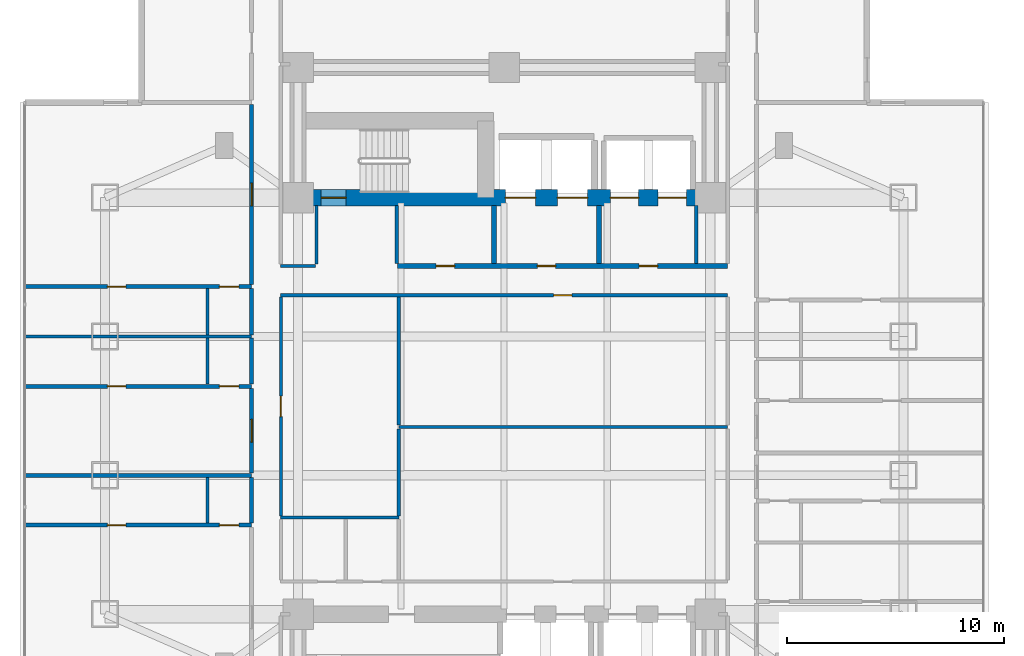
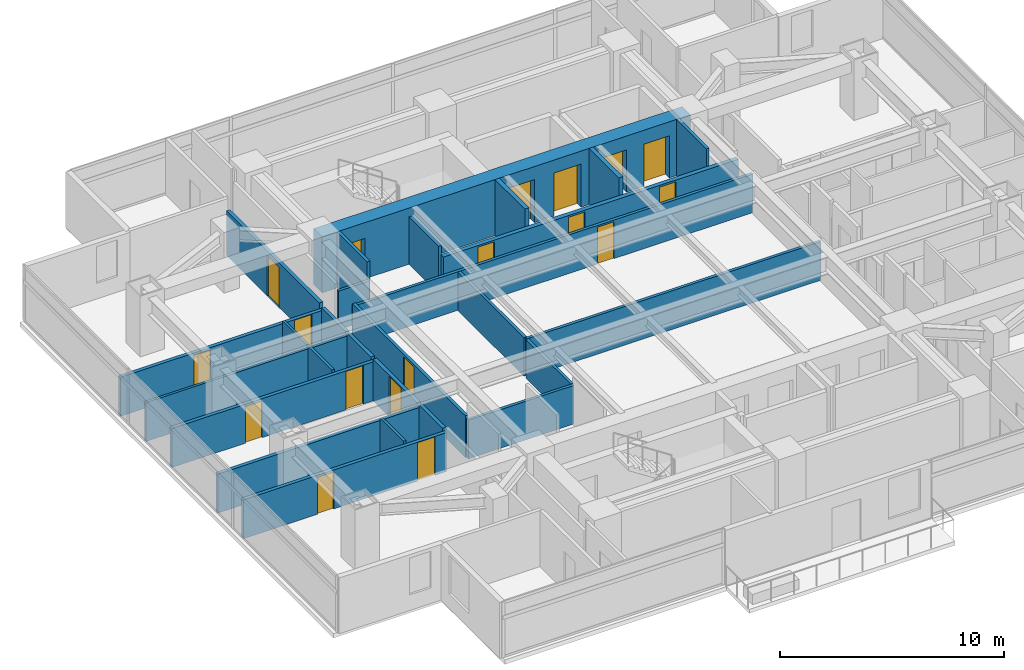
# One storey, part 14 of 25: 27 walls, 18 doors, 18 openings.
"""IFC4 building model written with IfcOpenShell, lengths in metres."""

from ifc_helpers import new_model, si_unit, direction, frame, frame_2d, origin, place, context, subcontext, project, spatial, rectangle, extrude, material, layer, layer_set, type_object, element, fill, save


model = new_model("IFC4")

# Units and contexts
model_context = context("Model", 3, precision=1e-05, world=origin(), true_north=direction((0.0, 1.0)))
body_context = subcontext(model_context, "Body", "Model", "MODEL_VIEW")
ifc_project = project(units=[si_unit("LENGTHUNIT", "METRE"), si_unit("AREAUNIT", "SQUARE_METRE"), si_unit("VOLUMEUNIT", "CUBIC_METRE"), si_unit("PLANEANGLEUNIT", "RADIAN"), si_unit("MASSUNIT", "GRAM", prefix="KILO")], contexts=[model_context])

# Site, building, storey
site_placement = place(None, origin())
site = spatial("IfcSite", under=ifc_project, at=site_placement, CompositionType="ELEMENT")
building_placement = place(site_placement, origin())
building = spatial("IfcBuilding", under=site, at=building_placement, Name="Mirazonda Arch Towers", CompositionType="ELEMENT")
storey_placement = place(building_placement, frame((0.0, 0.0, 35.60009765625)))
storey = spatial("IfcBuildingStorey", under=building, at=storey_placement, Name="L09", CompositionType="ELEMENT", Elevation=35.60009765625)

# Wall, openings, doors
ifc_material_1 = material(Name="Concrete C60/75", Category="concrete")
ifc_layer_1 = layer(ifc_material_1, 0.75, Name="WALL-CORE-750")
ifc_layer_set_1 = layer_set([ifc_layer_1], Name="Concrete C60/75")
wall_type_1 = type_object("IfcWallType", Name="WALL-CORE-750", PredefinedType="SHEAR", material=ifc_layer_set_1)
wall_1_placement = place(storey_placement, frame((11.0, 37.60009765625, 0.0), z_axis=(0.0, 0.0, 1.0), x_axis=(1.0, 0.0, 0.0)))
wall_1 = element("IfcWall", 1, at=wall_1_placement, inside=storey, type_object=wall_type_1, Name="L09 T1N-S Core Shear Wall", PredefinedType="SHEAR", context=body_context, shape_type="SweptSolid", body=[
    extrude(rectangle(XDim=19.0, YDim=0.75, at=frame_2d((9.5, 0.0))), origin(), (0.0, 0.0, 1.0), 3.059814453125),
])
opening_1_placement = place(wall_1_placement, frame((1.06005859375, 0.0, 0.0)))
opening_1 = element("IfcOpeningElement", 2, at=opening_1_placement, cuts=wall_1, Name="Opening DR-135", PredefinedType="OPENING", context=body_context, shape_type="SweptSolid", body=[
    extrude(rectangle(XDim=1.14990234375, YDim=2.199951171875, at=frame_2d((0.574951171875, 1.10009765625))), frame((0.0, 0.385009765625, 0.0), z_axis=(0.0, -1.0, 0.0), x_axis=(1.0, 0.0, 0.0)), (0.0, 0.0, 1.0), 0.77001953125),
])
opening_2_placement = place(wall_1_placement, frame((9.550048828125, 0.0, 0.0)))
opening_2 = element("IfcOpeningElement", 3, at=opening_2_placement, cuts=wall_1, Name="Opening LD-112", PredefinedType="OPENING", context=body_context, shape_type="SweptSolid", body=[
    extrude(rectangle(XDim=1.39990234375, YDim=2.35009765625, at=frame_2d((0.699951171875, 1.175048828125))), frame((0.0, 0.385009765625, 0.0), z_axis=(0.0, -1.0, 0.0), x_axis=(1.0, 0.0, 0.0)), (0.0, 0.0, 1.0), 0.77001953125),
])
opening_3_placement = place(wall_1_placement, frame((11.949951171875, 0.0, 0.0)))
opening_3 = element("IfcOpeningElement", 4, at=opening_3_placement, cuts=wall_1, Name="Opening LD-112", PredefinedType="OPENING", context=body_context, shape_type="SweptSolid", body=[
    extrude(rectangle(XDim=1.39990234375, YDim=2.35009765625, at=frame_2d((0.699951171875, 1.175048828125))), frame((0.0, 0.385009765625, 0.0), z_axis=(0.0, -1.0, 0.0), x_axis=(1.0, 0.0, 0.0)), (0.0, 0.0, 1.0), 0.77001953125),
])
opening_4_placement = place(wall_1_placement, frame((14.39990234375, 0.0, 0.0)))
opening_4 = element("IfcOpeningElement", 5, at=opening_4_placement, cuts=wall_1, Name="Opening LD-111", PredefinedType="OPENING", context=body_context, shape_type="SweptSolid", body=[
    extrude(rectangle(XDim=1.300048828125, YDim=2.300048828125, at=frame_2d((0.64990234375, 1.14990234375))), frame((0.0, 0.385009765625, 0.0), z_axis=(0.0, -1.0, 0.0), x_axis=(1.0, 0.0, 0.0)), (0.0, 0.0, 1.0), 0.77001953125),
])
opening_5_placement = place(wall_1_placement, frame((16.60009765625, 0.0, 0.0)))
opening_5 = element("IfcOpeningElement", 6, at=opening_5_placement, cuts=wall_1, Name="Opening LD-111", PredefinedType="OPENING", context=body_context, shape_type="SweptSolid", body=[
    extrude(rectangle(XDim=1.300048828125, YDim=2.300048828125, at=frame_2d((0.64990234375, 1.14990234375))), frame((0.0, 0.385009765625, 0.0), z_axis=(0.0, -1.0, 0.0), x_axis=(1.0, 0.0, 0.0)), (0.0, 0.0, 1.0), 0.77001953125),
])
ifc_material_2 = material(Name="Architectural Brushed Steel S355", Category="steel")
door_type_1 = type_object("IfcDoorType", Name="DOOR-LIFT-FFL-1400", OperationType="NOTDEFINED", PredefinedType="DOOR", material=ifc_material_2)
door_1_placement = place(opening_2_placement, origin())
door_1 = element("IfcDoor", 7, at=door_1_placement, inside=storey, type_object=door_type_1, Name="L09 Lift Landing Sliding Door FFL-T1", OperationType="DOUBLE_DOOR_SLIDING", OverallHeight=2.35009765625, OverallWidth=1.39990234375, PredefinedType="DOOR", context=body_context, shape_type="SweptSolid", body=[
    extrude(rectangle(XDim=1.39990234375, YDim=2.35009765625, at=frame_2d((0.699951171875, 1.175048828125))), frame((0.0, 0.02490234375, 0.0), z_axis=(0.0, -1.0, 0.0), x_axis=(1.0, 0.0, 0.0)), (0.0, 0.0, 1.0), 0.050048828125),
])
fill(opening_2, door_1)
door_2_placement = place(opening_3_placement, origin())
door_2 = element("IfcDoor", 8, at=door_2_placement, inside=storey, type_object=door_type_1, Name="L09 Lift Landing Sliding Door SVL-T1", OperationType="DOUBLE_DOOR_SLIDING", OverallHeight=2.35009765625, OverallWidth=1.39990234375, PredefinedType="DOOR", context=body_context, shape_type="SweptSolid", body=[
    extrude(rectangle(XDim=1.39990234375, YDim=2.35009765625, at=frame_2d((0.699951171875, 1.175048828125))), frame((0.0, 0.02490234375, 0.0), z_axis=(0.0, -1.0, 0.0), x_axis=(1.0, 0.0, 0.0)), (0.0, 0.0, 1.0), 0.050048828125),
])
fill(opening_3, door_2)
door_type_2 = type_object("IfcDoorType", Name="DOOR-LIFT-LAND-1300", OperationType="NOTDEFINED", PredefinedType="DOOR", material=ifc_material_2)
door_3_placement = place(opening_4_placement, origin())
door_3 = element("IfcDoor", 9, at=door_3_placement, inside=storey, type_object=door_type_2, Name="L09 Lift Landing Sliding Door PL-T1L1", OperationType="DOUBLE_DOOR_SLIDING", OverallHeight=2.300048828125, OverallWidth=1.300048828125, PredefinedType="DOOR", context=body_context, shape_type="SweptSolid", body=[
    extrude(rectangle(XDim=1.300048828125, YDim=2.300048828125, at=frame_2d((0.64990234375, 1.14990234375))), frame((0.0, 0.02490234375, 0.0), z_axis=(0.0, -1.0, 0.0), x_axis=(1.0, 0.0, 0.0)), (0.0, 0.0, 1.0), 0.050048828125),
])
fill(opening_4, door_3)
door_4_placement = place(opening_5_placement, origin())
door_4 = element("IfcDoor", 10, at=door_4_placement, inside=storey, type_object=door_type_2, Name="L09 Lift Landing Sliding Door PL-T1L2", OperationType="DOUBLE_DOOR_SLIDING", OverallHeight=2.300048828125, OverallWidth=1.300048828125, PredefinedType="DOOR", context=body_context, shape_type="SweptSolid", body=[
    extrude(rectangle(XDim=1.300048828125, YDim=2.300048828125, at=frame_2d((0.64990234375, 1.14990234375))), frame((0.0, 0.02490234375, 0.0), z_axis=(0.0, -1.0, 0.0), x_axis=(1.0, 0.0, 0.0)), (0.0, 0.0, 1.0), 0.050048828125),
])
fill(opening_5, door_4)
door_type_3 = type_object("IfcDoorType", Name="DOOR-STAIR-FD90-1150", OperationType="NOTDEFINED", PredefinedType="DOOR", material=ifc_material_2)
door_5_placement = place(opening_1_placement, origin())
door_5 = element("IfcDoor", 11, at=door_5_placement, inside=storey, type_object=door_type_3, Name="L09 Protected Exit Stair North Door", OperationType="SINGLE_SWING_RIGHT", OverallHeight=2.199951171875, OverallWidth=1.14990234375, PredefinedType="DOOR", context=body_context, shape_type="SweptSolid", body=[
    extrude(rectangle(XDim=1.14990234375, YDim=2.199951171875, at=frame_2d((0.574951171875, 1.10009765625))), frame((0.0, 0.02490234375, 0.0), z_axis=(0.0, -1.0, 0.0), x_axis=(1.0, 0.0, 0.0)), (0.0, 0.0, 1.0), 0.050048828125),
])
fill(opening_1, door_5)

ifc_material_3 = material(Name="Concrete C40/50", Category="concrete")
ifc_layer_2 = layer(ifc_material_3, 0.219970703125, Name="WALL-FFL-220")
ifc_layer_set_2 = layer_set([ifc_layer_2], Name="Concrete C40/50")
wall_type_2 = type_object("IfcWallType", Name="WALL-FFL-220", PredefinedType="SOLIDWALL", material=ifc_layer_set_2)
wall_2_placement = place(storey_placement, frame((15.590087890625, 34.449951171875, 0.0), z_axis=(0.0, 0.0, 1.0), x_axis=(1.0, 0.0, 0.0)))
wall_2 = element("IfcWall", 12, at=wall_2_placement, inside=storey, type_object=wall_type_2, Name="L09 Interior Partition 050", PredefinedType="SOLIDWALL", context=body_context, shape_type="SweptSolid", body=[
    extrude(rectangle(XDim=15.2099609375, YDim=0.219970703125, at=frame_2d((7.60498046875, 0.0))), origin(), (0.0, 0.0, 1.0), 2.10400390625),
])
opening_6_placement = place(wall_2_placement, frame((6.43505859375, 0.0, 0.0)))
opening_6 = element("IfcOpeningElement", 13, at=opening_6_placement, cuts=wall_2, Name="Opening DR-128", PredefinedType="OPENING", context=body_context, shape_type="SweptSolid", body=[
    extrude(rectangle(XDim=0.85009765625, YDim=2.010009765625, at=frame_2d((0.425048828125, 1.0048828125))), frame((0.0, 0.119873046875, 0.0), z_axis=(0.0, -1.0, 0.0), x_axis=(1.0, 0.0, 0.0)), (0.0, 0.0, 1.0), 0.239990234375),
])
opening_7_placement = place(wall_2_placement, frame((11.135009765625, 0.0, 0.0)))
opening_7 = element("IfcOpeningElement", 14, at=opening_7_placement, cuts=wall_2, Name="Opening DR-128", PredefinedType="OPENING", context=body_context, shape_type="SweptSolid", body=[
    extrude(rectangle(XDim=0.85009765625, YDim=2.010009765625, at=frame_2d((0.425048828125, 1.0048828125))), frame((0.0, 0.119873046875, 0.0), z_axis=(0.0, -1.0, 0.0), x_axis=(1.0, 0.0, 0.0)), (0.0, 0.0, 1.0), 0.239990234375),
])
opening_8_placement = place(wall_2_placement, frame((1.77490234375, 0.0, 0.0)))
opening_8 = element("IfcOpeningElement", 15, at=opening_8_placement, cuts=wall_2, Name="Opening DR-128", PredefinedType="OPENING", context=body_context, shape_type="SweptSolid", body=[
    extrude(rectangle(XDim=0.85009765625, YDim=2.010009765625, at=frame_2d((0.425048828125, 1.0048828125))), frame((0.0, 0.119873046875, 0.0), z_axis=(0.0, -1.0, 0.0), x_axis=(1.0, 0.0, 0.0)), (0.0, 0.0, 1.0), 0.239990234375),
])
door_type_4 = type_object("IfcDoorType", Name="DOOR-RISER-FD60-850", OperationType="NOTDEFINED", PredefinedType="DOOR", material=ifc_material_2)
door_6_placement = place(opening_6_placement, origin())
door_6 = element("IfcDoor", 16, at=door_6_placement, inside=storey, type_object=door_type_4, Name="L09 Firefighting Lift Lobby Door", OperationType="SINGLE_SWING_LEFT", OverallHeight=2.010009765625, OverallWidth=0.85009765625, PredefinedType="DOOR", context=body_context, shape_type="SweptSolid", body=[
    extrude(rectangle(XDim=0.85009765625, YDim=2.010009765625, at=frame_2d((0.425048828125, 1.0048828125))), frame((0.0, 0.02490234375, 0.0), z_axis=(0.0, -1.0, 0.0), x_axis=(1.0, 0.0, 0.0)), (0.0, 0.0, 1.0), 0.050048828125),
])
fill(opening_6, door_6)
door_7_placement = place(opening_7_placement, origin())
door_7 = element("IfcDoor", 17, at=door_7_placement, inside=storey, type_object=door_type_4, Name="L09 Passenger Lift Lobby North Door", OperationType="SINGLE_SWING_RIGHT", OverallHeight=2.010009765625, OverallWidth=0.85009765625, PredefinedType="DOOR", context=body_context, shape_type="SweptSolid", body=[
    extrude(rectangle(XDim=0.85009765625, YDim=2.010009765625, at=frame_2d((0.425048828125, 1.0048828125))), frame((0.0, 0.02490234375, 0.0), z_axis=(0.0, -1.0, 0.0), x_axis=(1.0, 0.0, 0.0)), (0.0, 0.0, 1.0), 0.050048828125),
])
fill(opening_7, door_7)
door_8_placement = place(opening_8_placement, origin())
door_8 = element("IfcDoor", 18, at=door_8_placement, inside=storey, type_object=door_type_4, Name="L09 Housekeeping Linen Room Door", OperationType="SINGLE_SWING_LEFT", OverallHeight=2.010009765625, OverallWidth=0.85009765625, PredefinedType="DOOR", context=body_context, shape_type="SweptSolid", body=[
    extrude(rectangle(XDim=0.85009765625, YDim=2.010009765625, at=frame_2d((0.425048828125, 1.0048828125))), frame((0.0, 0.02490234375, 0.0), z_axis=(0.0, -1.0, 0.0), x_axis=(1.0, 0.0, 0.0)), (0.0, 0.0, 1.0), 0.050048828125),
])
fill(opening_8, door_8)

# Walls
for number, where, z_axis, x_axis, name in (
    (19, (20.02490234375, 34.570068359375, 0.0), (0.0, 0.0, 1.0), (0.0, 1.0, 0.0), "L09 Interior Partition 090"),
    (20, (24.875, 34.570068359375, 0.0), (0.0, 0.0, 1.0), (0.0, 1.0, 0.0), "L09 Interior Partition 096"),
):
    element("IfcWall", number, at=place(storey_placement, frame(where, z_axis=z_axis, x_axis=x_axis)), inside=storey, type_object=wall_type_2, Name=name, PredefinedType="SOLIDWALL", context=body_context, shape_type="SweptSolid", body=[
        extrude(rectangle(XDim=2.659912109375, YDim=0.219970703125, at=frame_2d((1.330078125, 0.0))), origin(), (0.0, 0.0, 1.0), 3.059814453125),
    ])
ifc_material_4 = material(Name="Fire-Rated Gypsum Stud Partition")
ifc_layer_3 = layer(ifc_material_4, 0.14990234375, Name="WALL-PART-CORR-150")
ifc_layer_set_3 = layer_set([ifc_layer_3], Name="Fire-Rated Gypsum Stud Partition")
wall_type_3 = type_object("IfcWallType", Name="WALL-PART-CORR-150", PredefinedType="PARTITIONING", material=ifc_layer_set_3)
wall_3_placement = place(storey_placement, frame((10.199951171875, 22.85009765625, 0.0), z_axis=(0.0, 0.0, 1.0), x_axis=(1.0, 0.0, 0.0)))
element("IfcWall", 21, at=wall_3_placement, inside=storey, type_object=wall_type_3, Name="L09 Interior Partition 024", PredefinedType="PARTITIONING", context=body_context, shape_type="SweptSolid", body=[
    extrude(rectangle(XDim=5.43994140625, YDim=0.14990234375, at=frame_2d((2.719970703125, 0.0))), origin(), (0.0, 0.0, 1.0), 2.10400390625),
])
wall_4_placement = place(storey_placement, frame((15.639892578125, 27.028076171875, 0.0), z_axis=(0.0, 0.0, 1.0), x_axis=(1.0, 0.0, 0.0)))
element("IfcWall", 22, at=wall_4_placement, inside=storey, type_object=wall_type_3, Name="L09 Interior Partition 034", PredefinedType="PARTITIONING", context=body_context, shape_type="SweptSolid", body=[
    extrude(rectangle(XDim=15.16015625, YDim=0.14990234375, at=frame_2d((7.580078125, 0.0))), origin(), (0.0, 0.0, 1.0), 2.10400390625),
])

# Wall, opening, door
wall_5_placement = place(storey_placement, frame((10.199951171875, 33.10009765625, 0.0), z_axis=(0.0, 0.0, 1.0), x_axis=(1.0, 0.0, 0.0)))
wall_5 = element("IfcWall", 23, at=wall_5_placement, inside=storey, type_object=wall_type_3, Name="L09 Interior Partition 047", PredefinedType="PARTITIONING", context=body_context, shape_type="SweptSolid", body=[
    extrude(rectangle(XDim=20.60009765625, YDim=0.14990234375, at=frame_2d((10.300048828125, 0.0))), origin(), (0.0, 0.0, 1.0), 2.10400390625),
])
opening_9_placement = place(wall_5_placement, frame((12.574951171875, 0.0, 0.0)))
opening_9 = element("IfcOpeningElement", 24, at=opening_9_placement, cuts=wall_5, Name="Opening DR-128", PredefinedType="OPENING", context=body_context, shape_type="SweptSolid", body=[
    extrude(rectangle(XDim=0.85009765625, YDim=2.010009765625, at=frame_2d((0.425048828125, 1.0048828125))), frame((0.0, 0.0849609375, 0.0), z_axis=(0.0, -1.0, 0.0), x_axis=(1.0, 0.0, 0.0)), (0.0, 0.0, 1.0), 0.169921875),
])
door_9_placement = place(opening_9_placement, origin())
door_9 = element("IfcDoor", 25, at=door_9_placement, inside=storey, type_object=door_type_4, Name="L09 Concierge Salon Door", OperationType="SINGLE_SWING_LEFT", OverallHeight=2.010009765625, OverallWidth=0.85009765625, PredefinedType="DOOR", context=body_context, shape_type="SweptSolid", body=[
    extrude(rectangle(XDim=0.85009765625, YDim=2.010009765625, at=frame_2d((0.425048828125, 1.0048828125))), frame((0.0, 0.02490234375, 0.0), z_axis=(0.0, -1.0, 0.0), x_axis=(1.0, 0.0, 0.0)), (0.0, 0.0, 1.0), 0.050048828125),
])
fill(opening_9, door_9)

# Wall
wall_6_placement = place(storey_placement, frame((10.199951171875, 34.449951171875, 0.0), z_axis=(0.0, 0.0, 1.0), x_axis=(1.0, 0.0, 0.0)))
element("IfcWall", 26, at=wall_6_placement, inside=storey, type_object=wall_type_3, Name="L09 Interior Partition 049", PredefinedType="PARTITIONING", context=body_context, shape_type="SweptSolid", body=[
    extrude(rectangle(XDim=1.60009765625, YDim=0.14990234375, at=frame_2d((0.800048828125, 0.0))), origin(), (0.0, 0.0, 1.0), 2.10400390625),
])

# Wall, opening, door
wall_7_placement = place(storey_placement, frame((10.206787109375, 22.93505859375, 0.0), z_axis=(0.0, 0.0, 1.0), x_axis=(0.0, 1.0, 0.0)))
wall_7 = element("IfcWall", 27, at=wall_7_placement, inside=storey, type_object=wall_type_3, Name="L09 Interior Partition 079", PredefinedType="PARTITIONING", context=body_context, shape_type="SweptSolid", body=[
    extrude(rectangle(XDim=10.079833984375, YDim=0.14990234375, at=frame_2d((5.0400390625, 0.0))), origin(), (0.0, 0.0, 1.0), 2.27880859375),
])
opening_10_placement = place(wall_7_placement, frame((4.56494140625, 0.0, 0.0)))
opening_10 = element("IfcOpeningElement", 28, at=opening_10_placement, cuts=wall_7, Name="Opening DR-104", PredefinedType="OPENING", context=body_context, shape_type="SweptSolid", body=[
    extrude(rectangle(XDim=0.949951171875, YDim=2.14990234375, at=frame_2d((0.47509765625, 1.074951171875))), frame((0.0, 0.0849609375, 0.0), z_axis=(0.0, -1.0, 0.0), x_axis=(1.0, 0.0, 0.0)), (0.0, 0.0, 1.0), 0.169921875),
])
door_type_5 = type_object("IfcDoorType", Name="DOOR-ROOM-950", OperationType="NOTDEFINED", PredefinedType="DOOR", material=ifc_material_2)
door_10_placement = place(opening_10_placement, origin())
door_10 = element("IfcDoor", 29, at=door_10_placement, inside=storey, type_object=door_type_5, Name="L09 L09 West Courtyard Salon Door", OperationType="SINGLE_SWING_LEFT", OverallHeight=2.14990234375, OverallWidth=0.949951171875, PredefinedType="DOOR", context=body_context, shape_type="SweptSolid", body=[
    extrude(rectangle(XDim=0.949951171875, YDim=2.14990234375, at=frame_2d((0.47509765625, 1.074951171875))), frame((0.0, 0.02490234375, 0.0), z_axis=(0.0, -1.0, 0.0), x_axis=(1.0, 0.0, 0.0)), (0.0, 0.0, 1.0), 0.050048828125),
])
fill(opening_10, door_10)

# Walls
wall_8_placement = place(storey_placement, frame((11.85009765625, 34.534912109375, 0.0), z_axis=(0.0, 0.0, 1.0), x_axis=(0.0, 1.0, 0.0)))
element("IfcWall", 30, at=wall_8_placement, inside=storey, type_object=wall_type_3, Name="L09 Interior Partition 082", PredefinedType="PARTITIONING", context=body_context, shape_type="SweptSolid", body=[
    extrude(rectangle(XDim=2.695068359375, YDim=0.14990234375, at=frame_2d((1.34765625, 0.0))), origin(), (0.0, 0.0, 1.0), 3.059814453125),
])
wall_9_placement = place(storey_placement, frame((15.639892578125, 22.93505859375, 0.0), z_axis=(0.0, 0.0, 1.0), x_axis=(0.0, 1.0, 0.0)))
element("IfcWall", 31, at=wall_9_placement, inside=storey, type_object=wall_type_3, Name="L09 Interior Partition 085", PredefinedType="PARTITIONING", context=body_context, shape_type="SweptSolid", body=[
    extrude(rectangle(XDim=4.008056640625, YDim=0.14990234375, at=frame_2d((2.00390625, 0.0))), origin(), (0.0, 0.0, 1.0), 2.10400390625),
])
wall_10_placement = place(storey_placement, frame((15.639892578125, 27.113037109375, 0.0), z_axis=(0.0, 0.0, 1.0), x_axis=(0.0, 1.0, 0.0)))
element("IfcWall", 32, at=wall_10_placement, inside=storey, type_object=wall_type_3, Name="L09 Interior Partition 086", PredefinedType="PARTITIONING", context=body_context, shape_type="SweptSolid", body=[
    extrude(rectangle(XDim=5.90185546875, YDim=0.14990234375, at=frame_2d((2.950927734375, 0.0))), origin(), (0.0, 0.0, 1.0), 2.10400390625),
])
wall_11_placement = place(storey_placement, frame((15.550048828125, 34.570068359375, 0.0), z_axis=(0.0, 0.0, 1.0), x_axis=(0.0, 1.0, 0.0)))
element("IfcWall", 33, at=wall_11_placement, inside=storey, type_object=wall_type_3, Name="L09 Interior Partition 087", PredefinedType="PARTITIONING", context=body_context, shape_type="SweptSolid", body=[
    extrude(rectangle(XDim=2.659912109375, YDim=0.14990234375, at=frame_2d((1.330078125, 0.0))), origin(), (0.0, 0.0, 1.0), 2.5888671875),
])
wall_12_placement = place(storey_placement, frame((29.35009765625, 34.570068359375, 0.0), z_axis=(0.0, 0.0, 1.0), x_axis=(0.0, 1.0, 0.0)))
element("IfcWall", 34, at=wall_12_placement, inside=storey, type_object=wall_type_3, Name="L09 Interior Partition 099", PredefinedType="PARTITIONING", context=body_context, shape_type="SweptSolid", body=[
    extrude(rectangle(XDim=2.659912109375, YDim=0.14990234375, at=frame_2d((1.330078125, 0.0))), origin(), (0.0, 0.0, 1.0), 3.059814453125),
])

# Wall, openings, doors
ifc_material_5 = material(Name="Fire-Rated Gypsum Twin-Stud Assembly")
ifc_layer_4 = layer(ifc_material_5, 0.179931640625, Name="WALL-PART-DEMISE-180")
ifc_layer_set_4 = layer_set([ifc_layer_4], Name="Fire-Rated Gypsum Twin-Stud Assembly")
wall_type_4 = type_object("IfcWallType", Name="WALL-PART-DEMISE-180", PredefinedType="PARTITIONING", material=ifc_layer_set_4)
wall_13_placement = place(storey_placement, frame((-1.60009765625, 22.5, 0.0), z_axis=(0.0, 0.0, 1.0), x_axis=(1.0, 0.0, 0.0)))
wall_13 = element("IfcWall", 35, at=wall_13_placement, inside=storey, type_object=wall_type_4, Name="L09 Interior Partition 022", PredefinedType="PARTITIONING", context=body_context, shape_type="SweptSolid", body=[
    extrude(rectangle(XDim=10.460205078125, YDim=0.179931640625, at=frame_2d((5.22998046875, 0.0))), origin(), (0.0, 0.0, 1.0), 2.125),
])
opening_11_placement = place(wall_13_placement, frame((3.804931640625, 0.0, 0.0)))
opening_11 = element("IfcOpeningElement", 36, at=opening_11_placement, cuts=wall_13, Name="Opening DR-128", PredefinedType="OPENING", context=body_context, shape_type="SweptSolid", body=[
    extrude(rectangle(XDim=0.85009765625, YDim=2.010009765625, at=frame_2d((0.425048828125, 1.0048828125))), frame((0.0, 0.099853515625, 0.0), z_axis=(0.0, -1.0, 0.0), x_axis=(1.0, 0.0, 0.0)), (0.0, 0.0, 1.0), 0.199951171875),
])
opening_12_placement = place(wall_13_placement, frame((8.969970703125, 0.0, 0.0)))
opening_12 = element("IfcOpeningElement", 37, at=opening_12_placement, cuts=wall_13, Name="Opening DR-120", PredefinedType="OPENING", context=body_context, shape_type="SweptSolid", body=[
    extrude(rectangle(XDim=0.89990234375, YDim=2.10009765625, at=frame_2d((0.449951171875, 1.050048828125))), frame((0.0, 0.099853515625, 0.0), z_axis=(0.0, -1.0, 0.0), x_axis=(1.0, 0.0, 0.0)), (0.0, 0.0, 1.0), 0.199951171875),
])
door_11_placement = place(opening_11_placement, origin())
door_11 = element("IfcDoor", 38, at=door_11_placement, inside=storey, type_object=door_type_4, Name="L09 Suite Bedroom 1 Door", OperationType="SINGLE_SWING_RIGHT", OverallHeight=2.010009765625, OverallWidth=0.85009765625, PredefinedType="DOOR", context=body_context, shape_type="SweptSolid", body=[
    extrude(rectangle(XDim=0.85009765625, YDim=2.010009765625, at=frame_2d((0.425048828125, 1.0048828125))), frame((0.0, 0.02490234375, 0.0), z_axis=(0.0, -1.0, 0.0), x_axis=(1.0, 0.0, 0.0)), (0.0, 0.0, 1.0), 0.050048828125),
])
fill(opening_11, door_11)
door_type_6 = type_object("IfcDoorType", Name="DOOR-WC-900", OperationType="NOTDEFINED", PredefinedType="DOOR", material=ifc_material_2)
door_12_placement = place(opening_12_placement, origin())
door_12 = element("IfcDoor", 39, at=door_12_placement, inside=storey, type_object=door_type_6, Name="L09 Suite En-Suite Bathroom 1 Door", OperationType="SINGLE_SWING_LEFT", OverallHeight=2.10009765625, OverallWidth=0.89990234375, PredefinedType="DOOR", context=body_context, shape_type="SweptSolid", body=[
    extrude(rectangle(XDim=0.89990234375, YDim=2.10009765625, at=frame_2d((0.449951171875, 1.050048828125))), frame((0.0, 0.02490234375, 0.0), z_axis=(0.0, -1.0, 0.0), x_axis=(1.0, 0.0, 0.0)), (0.0, 0.0, 1.0), 0.050048828125),
])
fill(opening_12, door_12)

# Wall
wall_14_placement = place(storey_placement, frame((-1.60009765625, 24.800048828125, 0.0), z_axis=(0.0, 0.0, 1.0), x_axis=(1.0, 0.0, 0.0)))
element("IfcWall", 40, at=wall_14_placement, inside=storey, type_object=wall_type_4, Name="L09 Interior Partition 028", PredefinedType="PARTITIONING", context=body_context, shape_type="SweptSolid", body=[
    extrude(rectangle(XDim=10.460205078125, YDim=0.179931640625, at=frame_2d((5.22998046875, 0.0))), origin(), (0.0, 0.0, 1.0), 2.125),
])

# Wall, openings, doors
wall_15_placement = place(storey_placement, frame((-1.60009765625, 28.89990234375, 0.0), z_axis=(0.0, 0.0, 1.0), x_axis=(1.0, 0.0, 0.0)))
wall_15 = element("IfcWall", 41, at=wall_15_placement, inside=storey, type_object=wall_type_4, Name="L09 Interior Partition 037", PredefinedType="PARTITIONING", context=body_context, shape_type="SweptSolid", body=[
    extrude(rectangle(XDim=10.460205078125, YDim=0.179931640625, at=frame_2d((5.22998046875, 0.0))), origin(), (0.0, 0.0, 1.0), 2.125),
])
opening_13_placement = place(wall_15_placement, frame((3.804931640625, 0.0, 0.0)))
opening_13 = element("IfcOpeningElement", 42, at=opening_13_placement, cuts=wall_15, Name="Opening DR-128", PredefinedType="OPENING", context=body_context, shape_type="SweptSolid", body=[
    extrude(rectangle(XDim=0.85009765625, YDim=2.010009765625, at=frame_2d((0.425048828125, 1.0048828125))), frame((0.0, 0.099853515625, 0.0), z_axis=(0.0, -1.0, 0.0), x_axis=(1.0, 0.0, 0.0)), (0.0, 0.0, 1.0), 0.199951171875),
])
opening_14_placement = place(wall_15_placement, frame((8.969970703125, 0.0, 0.0)))
opening_14 = element("IfcOpeningElement", 43, at=opening_14_placement, cuts=wall_15, Name="Opening DR-120", PredefinedType="OPENING", context=body_context, shape_type="SweptSolid", body=[
    extrude(rectangle(XDim=0.89990234375, YDim=2.10009765625, at=frame_2d((0.449951171875, 1.050048828125))), frame((0.0, 0.099853515625, 0.0), z_axis=(0.0, -1.0, 0.0), x_axis=(1.0, 0.0, 0.0)), (0.0, 0.0, 1.0), 0.199951171875),
])
door_13_placement = place(opening_13_placement, origin())
door_13 = element("IfcDoor", 44, at=door_13_placement, inside=storey, type_object=door_type_4, Name="L09 Suite Bedroom 2 Door", OperationType="SINGLE_SWING_LEFT", OverallHeight=2.010009765625, OverallWidth=0.85009765625, PredefinedType="DOOR", context=body_context, shape_type="SweptSolid", body=[
    extrude(rectangle(XDim=0.85009765625, YDim=2.010009765625, at=frame_2d((0.425048828125, 1.0048828125))), frame((0.0, 0.02490234375, 0.0), z_axis=(0.0, -1.0, 0.0), x_axis=(1.0, 0.0, 0.0)), (0.0, 0.0, 1.0), 0.050048828125),
])
fill(opening_13, door_13)
door_14_placement = place(opening_14_placement, origin())
door_14 = element("IfcDoor", 45, at=door_14_placement, inside=storey, type_object=door_type_6, Name="L09 Suite En-Suite Bathroom 2 Door", OperationType="SINGLE_SWING_RIGHT", OverallHeight=2.10009765625, OverallWidth=0.89990234375, PredefinedType="DOOR", context=body_context, shape_type="SweptSolid", body=[
    extrude(rectangle(XDim=0.89990234375, YDim=2.10009765625, at=frame_2d((0.449951171875, 1.050048828125))), frame((0.0, 0.02490234375, 0.0), z_axis=(0.0, -1.0, 0.0), x_axis=(1.0, 0.0, 0.0)), (0.0, 0.0, 1.0), 0.050048828125),
])
fill(opening_14, door_14)

wall_16_placement = place(storey_placement, frame((-1.60009765625, 33.5, 0.0), z_axis=(0.0, 0.0, 1.0), x_axis=(1.0, 0.0, 0.0)))
wall_16 = element("IfcWall", 46, at=wall_16_placement, inside=storey, type_object=wall_type_4, Name="L09 Interior Partition 048", PredefinedType="PARTITIONING", context=body_context, shape_type="SweptSolid", body=[
    extrude(rectangle(XDim=10.460205078125, YDim=0.179931640625, at=frame_2d((5.22998046875, 0.0))), origin(), (0.0, 0.0, 1.0), 2.125),
])
opening_15_placement = place(wall_16_placement, frame((3.804931640625, 0.0, 0.0)))
opening_15 = element("IfcOpeningElement", 47, at=opening_15_placement, cuts=wall_16, Name="Opening DR-128", PredefinedType="OPENING", context=body_context, shape_type="SweptSolid", body=[
    extrude(rectangle(XDim=0.85009765625, YDim=2.010009765625, at=frame_2d((0.425048828125, 1.0048828125))), frame((0.0, 0.099853515625, 0.0), z_axis=(0.0, -1.0, 0.0), x_axis=(1.0, 0.0, 0.0)), (0.0, 0.0, 1.0), 0.199951171875),
])
opening_16_placement = place(wall_16_placement, frame((8.969970703125, 0.0, 0.0)))
opening_16 = element("IfcOpeningElement", 48, at=opening_16_placement, cuts=wall_16, Name="Opening DR-120", PredefinedType="OPENING", context=body_context, shape_type="SweptSolid", body=[
    extrude(rectangle(XDim=0.89990234375, YDim=2.10009765625, at=frame_2d((0.449951171875, 1.050048828125))), frame((0.0, 0.099853515625, 0.0), z_axis=(0.0, -1.0, 0.0), x_axis=(1.0, 0.0, 0.0)), (0.0, 0.0, 1.0), 0.199951171875),
])
door_15_placement = place(opening_15_placement, origin())
door_15 = element("IfcDoor", 49, at=door_15_placement, inside=storey, type_object=door_type_4, Name="L09 Suite Bedroom 3 Door", OperationType="SINGLE_SWING_RIGHT", OverallHeight=2.010009765625, OverallWidth=0.85009765625, PredefinedType="DOOR", context=body_context, shape_type="SweptSolid", body=[
    extrude(rectangle(XDim=0.85009765625, YDim=2.010009765625, at=frame_2d((0.425048828125, 1.0048828125))), frame((0.0, 0.02490234375, 0.0), z_axis=(0.0, -1.0, 0.0), x_axis=(1.0, 0.0, 0.0)), (0.0, 0.0, 1.0), 0.050048828125),
])
fill(opening_15, door_15)
door_16_placement = place(opening_16_placement, origin())
door_16 = element("IfcDoor", 50, at=door_16_placement, inside=storey, type_object=door_type_6, Name="L09 Suite En-Suite Bathroom 3 Door", OperationType="SINGLE_SWING_LEFT", OverallHeight=2.10009765625, OverallWidth=0.89990234375, PredefinedType="DOOR", context=body_context, shape_type="SweptSolid", body=[
    extrude(rectangle(XDim=0.89990234375, YDim=2.10009765625, at=frame_2d((0.449951171875, 1.050048828125))), frame((0.0, 0.02490234375, 0.0), z_axis=(0.0, -1.0, 0.0), x_axis=(1.0, 0.0, 0.0)), (0.0, 0.0, 1.0), 0.050048828125),
])
fill(opening_16, door_16)

# Wall
wall_17_placement = place(storey_placement, frame((8.860107421875, 22.60009765625, 0.0), z_axis=(0.0, 0.0, 1.0), x_axis=(0.0, 1.0, 0.0)))
element("IfcWall", 51, at=wall_17_placement, inside=storey, type_object=wall_type_4, Name="L09 Interior Partition 070", PredefinedType="PARTITIONING", context=body_context, shape_type="SweptSolid", body=[
    extrude(rectangle(XDim=2.099853515625, YDim=0.179931640625, at=frame_2d((1.0498046875, 0.0))), origin(), (0.0, 0.0, 1.0), 2.27880859375),
])

# Wall, opening, door
wall_18_placement = place(storey_placement, frame((8.860107421875, 24.89990234375, 0.0), z_axis=(0.0, 0.0, 1.0), x_axis=(0.0, 1.0, 0.0)))
wall_18 = element("IfcWall", 52, at=wall_18_placement, inside=storey, type_object=wall_type_4, Name="L09 Interior Partition 071", PredefinedType="PARTITIONING", context=body_context, shape_type="SweptSolid", body=[
    extrude(rectangle(XDim=3.900146484375, YDim=0.179931640625, at=frame_2d((1.9501953125, 0.0))), origin(), (0.0, 0.0, 1.0), 2.27880859375),
])
opening_17_placement = place(wall_18_placement, frame((1.425048828125, 0.0, 0.0)))
opening_17 = element("IfcOpeningElement", 53, at=opening_17_placement, cuts=wall_18, Name="Opening DR-121", PredefinedType="OPENING", context=body_context, shape_type="SweptSolid", body=[
    extrude(rectangle(XDim=1.050048828125, YDim=2.199951171875, at=frame_2d((0.52490234375, 1.10009765625))), frame((0.0, 0.099853515625, 0.0), z_axis=(0.0, -1.0, 0.0), x_axis=(1.0, 0.0, 0.0)), (0.0, 0.0, 1.0), 0.199951171875),
])
door_type_7 = type_object("IfcDoorType", Name="DOOR-SUITE-FD60-1050", OperationType="NOTDEFINED", PredefinedType="DOOR", material=ifc_material_2)
door_17_placement = place(opening_17_placement, origin())
door_17 = element("IfcDoor", 54, at=door_17_placement, inside=storey, type_object=door_type_7, Name="L09 Deluxe Suite Living Room 2 Door", OperationType="SINGLE_SWING_RIGHT", OverallHeight=2.199951171875, OverallWidth=1.050048828125, PredefinedType="DOOR", context=body_context, shape_type="SweptSolid", body=[
    extrude(rectangle(XDim=1.050048828125, YDim=2.199951171875, at=frame_2d((0.52490234375, 1.10009765625))), frame((0.0, 0.02490234375, 0.0), z_axis=(0.0, -1.0, 0.0), x_axis=(1.0, 0.0, 0.0)), (0.0, 0.0, 1.0), 0.050048828125),
])
fill(opening_17, door_17)

# Walls
for number, where, z_axis, x_axis, name in (
    (55, (8.860107421875, 29.0, 0.0), (0.0, 0.0, 1.0), (0.0, 1.0, 0.0), "L09 Interior Partition 072"),
    (56, (8.860107421875, 31.2724609375, 0.0), (0.0, 0.0, 1.0), (0.0, 1.0, 0.0), "L09 Interior Partition 073"),
):
    element("IfcWall", number, at=place(storey_placement, frame(where, z_axis=z_axis, x_axis=x_axis)), inside=storey, type_object=wall_type_4, Name=name, PredefinedType="PARTITIONING", context=body_context, shape_type="SweptSolid", body=[
        extrude(rectangle(XDim=2.12744140625, YDim=0.179931640625, at=frame_2d((1.063720703125, 0.0))), origin(), (0.0, 0.0, 1.0), 2.27880859375),
    ])

# Wall, opening, door
wall_19_placement = place(storey_placement, frame((8.860107421875, 33.60009765625, 0.0), z_axis=(0.0, 0.0, 1.0), x_axis=(0.0, 1.0, 0.0)))
wall_19 = element("IfcWall", 57, at=wall_19_placement, inside=storey, type_object=wall_type_4, Name="L09 Interior Partition 074", PredefinedType="PARTITIONING", context=body_context, shape_type="SweptSolid", body=[
    extrude(rectangle(XDim=8.2919921875, YDim=0.179931640625, at=frame_2d((4.14599609375, 0.0))), origin(), (0.0, 0.0, 1.0), 2.435791015625),
])
opening_18_placement = place(wall_19_placement, frame((3.62109375, 0.0, 0.0)))
opening_18 = element("IfcOpeningElement", 58, at=opening_18_placement, cuts=wall_19, Name="Opening DR-121", PredefinedType="OPENING", context=body_context, shape_type="SweptSolid", body=[
    extrude(rectangle(XDim=1.050048828125, YDim=2.199951171875, at=frame_2d((0.52490234375, 1.10009765625))), frame((0.0, 0.099853515625, 0.0), z_axis=(0.0, -1.0, 0.0), x_axis=(1.0, 0.0, 0.0)), (0.0, 0.0, 1.0), 0.199951171875),
])
door_18_placement = place(opening_18_placement, origin())
door_18 = element("IfcDoor", 59, at=door_18_placement, inside=storey, type_object=door_type_7, Name="L09 Presidential Hotel Suite 3 Door", OperationType="SINGLE_SWING_LEFT", OverallHeight=2.199951171875, OverallWidth=1.050048828125, PredefinedType="DOOR", context=body_context, shape_type="SweptSolid", body=[
    extrude(rectangle(XDim=1.050048828125, YDim=2.199951171875, at=frame_2d((0.52490234375, 1.10009765625))), frame((0.0, 0.02490234375, 0.0), z_axis=(0.0, -1.0, 0.0), x_axis=(1.0, 0.0, 0.0)), (0.0, 0.0, 1.0), 0.050048828125),
])
fill(opening_18, door_18)

# Walls
ifc_material_6 = material(Name="Acoustic Fire-Rated Gypsum Partition")
ifc_layer_5 = layer(ifc_material_6, 0.125, Name="WALL-PART-UNIT-125")
ifc_layer_set_5 = layer_set([ifc_layer_5], Name="Acoustic Fire-Rated Gypsum Partition")
wall_type_5 = type_object("IfcWallType", Name="WALL-PART-UNIT-125", PredefinedType="PARTITIONING", material=ifc_layer_set_5)
wall_20_placement = place(storey_placement, frame((-1.60009765625, 31.199951171875, 0.0), z_axis=(0.0, 0.0, 1.0), x_axis=(1.0, 0.0, 0.0)))
element("IfcWall", 60, at=wall_20_placement, inside=storey, type_object=wall_type_5, Name="L09 Interior Partition 042", PredefinedType="PARTITIONING", context=body_context, shape_type="SweptSolid", body=[
    extrude(rectangle(XDim=10.460205078125, YDim=0.125, at=frame_2d((5.22998046875, 0.0))), origin(), (0.0, 0.0, 1.0), 2.125),
])
wall_21_placement = place(storey_placement, frame((6.820068359375, 22.60009765625, 0.0), z_axis=(0.0, 0.0, 1.0), x_axis=(0.0, 1.0, 0.0)))
element("IfcWall", 61, at=wall_21_placement, inside=storey, type_object=wall_type_5, Name="L09 Interior Partition 065", PredefinedType="PARTITIONING", context=body_context, shape_type="SweptSolid", body=[
    extrude(rectangle(XDim=2.099853515625, YDim=0.125, at=frame_2d((1.0498046875, 0.0))), origin(), (0.0, 0.0, 1.0), 2.27880859375),
])
for number, where, z_axis, x_axis, name in (
    (62, (6.820068359375, 29.0, 0.0), (0.0, 0.0, 1.0), (0.0, 1.0, 0.0), "L09 Interior Partition 066"),
    (63, (6.820068359375, 31.2724609375, 0.0), (0.0, 0.0, 1.0), (0.0, 1.0, 0.0), "L09 Interior Partition 067"),
):
    element("IfcWall", number, at=place(storey_placement, frame(where, z_axis=z_axis, x_axis=x_axis)), inside=storey, type_object=wall_type_5, Name=name, PredefinedType="PARTITIONING", context=body_context, shape_type="SweptSolid", body=[
        extrude(rectangle(XDim=2.12744140625, YDim=0.125, at=frame_2d((1.063720703125, 0.0))), origin(), (0.0, 0.0, 1.0), 2.27880859375),
    ])

save(model, "model.ifc")
